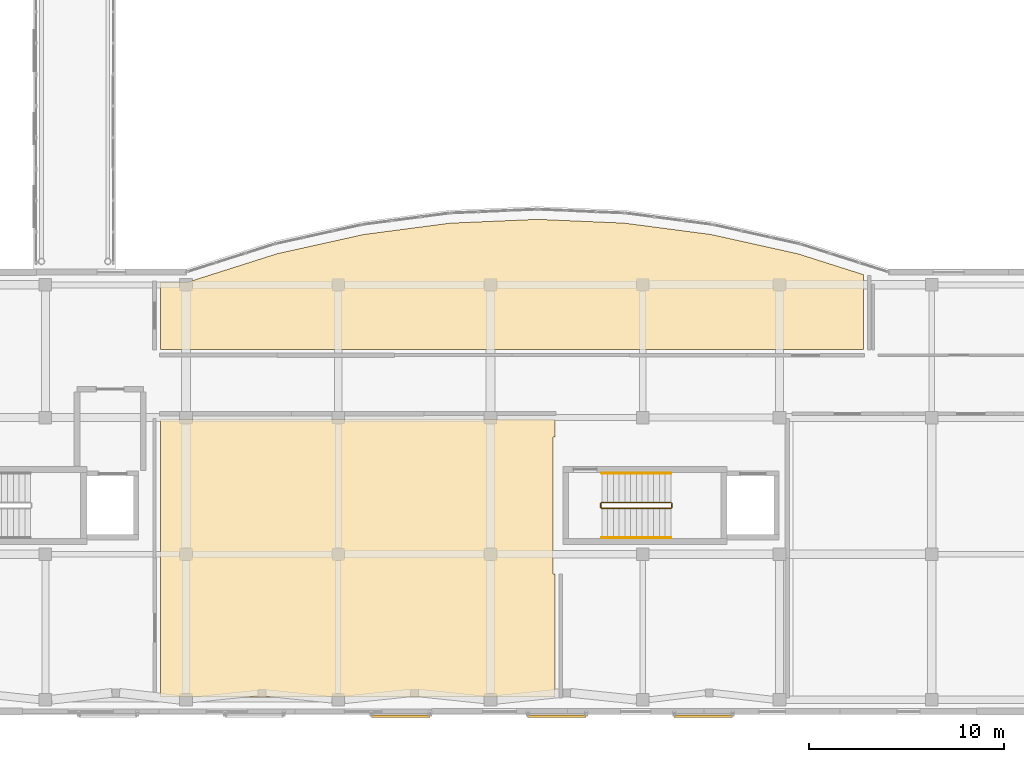
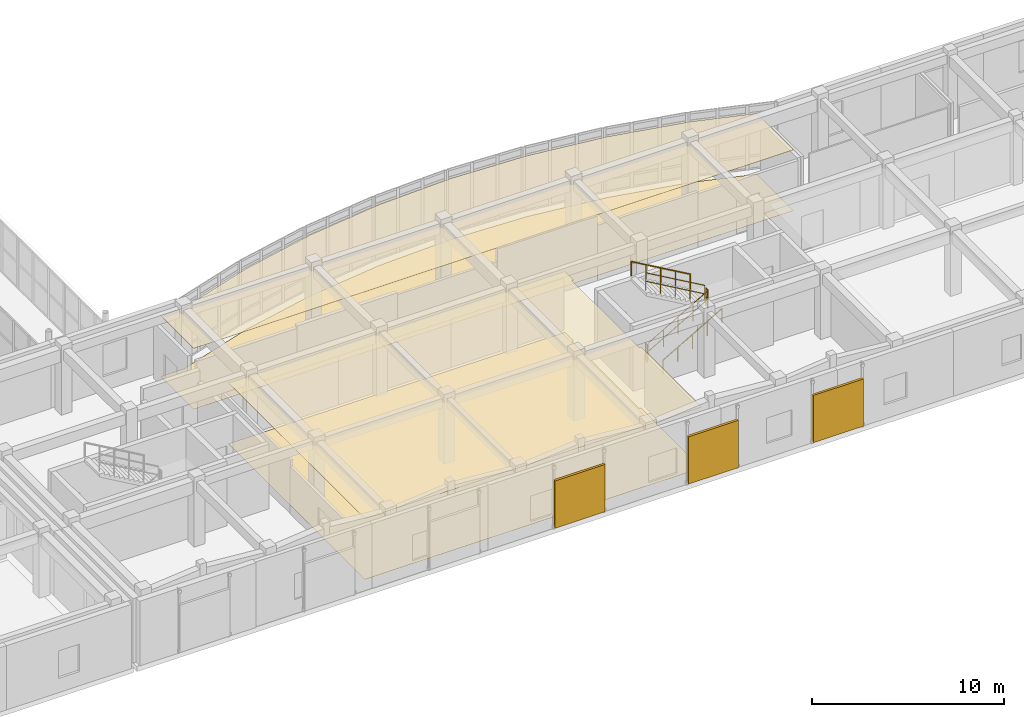
# One storey, part 136 of 142: 6 railings, 4 coverings, 3 shading devices.
"""IFC4 building model written with IfcOpenShell, lengths in metres."""

from ifc_helpers import new_model, si_unit, direction, frame, origin, origin_2d, place, context, subcontext, project, spatial, polyline, rectangle, circle, outline, extrude, material, layer, layer_set, type_object, element, save


model = new_model("IFC4")

# Units and contexts
model_context = context("Model", 3, precision=1e-05, world=origin(), true_north=direction((0.0, 1.0)))
body_context = subcontext(model_context, "Body", "Model", "MODEL_VIEW")
ifc_project = project(units=[si_unit("LENGTHUNIT", "METRE"), si_unit("AREAUNIT", "SQUARE_METRE"), si_unit("VOLUMEUNIT", "CUBIC_METRE"), si_unit("PLANEANGLEUNIT", "RADIAN"), si_unit("MASSUNIT", "GRAM", prefix="KILO")], contexts=[model_context])

# Site, building, storey
site_placement = place(None, origin())
site = spatial("IfcSite", under=ifc_project, at=site_placement, CompositionType="ELEMENT")
building_placement = place(site_placement, origin())
building = spatial("IfcBuilding", under=site, at=building_placement, Name="Valcora Specialist Clinic", CompositionType="ELEMENT")
storey_placement = place(building_placement, frame((0.0, 0.0, 5.10009765625)))
storey = spatial("IfcBuildingStorey", under=building, at=storey_placement, Name="L01", CompositionType="ELEMENT", Elevation=5.10009765625)

# Coverings
ifc_material_1 = material(Name="Acoustic Mineral Ceiling Tile")
ifc_layer_1 = layer(ifc_material_1, 0.02001953125)
ifc_layer_set_1 = layer_set([ifc_layer_1], Name="Acoustic Mineral Ceiling Tile")
covering_type_1 = type_object("IfcCoveringType", Name="TY-CV-CLG020", PredefinedType="CEILING", material=ifc_layer_set_1)
covering_1_placement = place(storey_placement, frame((0.0, 0.0, 3.849853515625)))
element("IfcCovering", 1, at=covering_1_placement, inside=storey, type_object=covering_type_1, Name="Acoustic ceiling tile 12", PredefinedType="CEILING", context=body_context, shape_type="SweptSolid", body=[
    extrude(outline(polyline([(67.699951171875, 15.10009765625), (87.89990234375, 15.10009765625), (87.89990234375, 14.199951171875), (87.800048828125, 14.199951171875), (87.800048828125, 7.199951171875), (87.89990234375, 7.199951171875), (87.89990234375, 0.89990234375), (67.699951171875, 0.89990234375), (67.699951171875, 15.10009765625)])), origin(), (0.0, 0.0, 1.0), 0.02001953125),
])
covering_2_placement = place(storey_placement, frame((0.0, 0.0, 3.849853515625)))
element("IfcCovering", 2, at=covering_2_placement, inside=storey, type_object=covering_type_1, Name="Acoustic ceiling tile 14", PredefinedType="CEILING", context=body_context, shape_type="SweptSolid", body=[
    extrude(outline(polyline([(67.699951171875, 22.139892578125), (69.0, 22.139892578125), (69.01611328125, 22.139892578125), (69.052978515625, 22.14208984375), (69.0859375, 22.14599609375), (69.1220703125, 22.152099609375), (69.14599609375, 22.156982421875), (69.181884765625, 22.166015625), (69.199951171875, 22.1708984375), (73.672119140625, 23.593994140625), (78.114013671875, 24.5791015625), (82.556884765625, 25.162109375), (87.0, 25.35498046875), (91.443115234375, 25.162109375), (95.885986328125, 24.5791015625), (100.327880859375, 23.593994140625), (103.699951171875, 22.52099609375), (103.699951171875, 18.699951171875), (67.699951171875, 18.699951171875), (67.699951171875, 22.139892578125)])), origin(), (0.0, 0.0, 1.0), 0.02001953125),
])
ifc_material_2 = material(Name="Antimicrobial Vinyl Clinical Flooring")
ifc_layer_2 = layer(ifc_material_2, 0.008056640625)
ifc_layer_set_2 = layer_set([ifc_layer_2], Name="Antimicrobial Vinyl Clinical Flooring")
covering_type_2 = type_object("IfcCoveringType", Name="TY-CV-FLR008", PredefinedType="FLOORING", material=ifc_layer_set_2)
covering_3_placement = place(storey_placement, origin())
element("IfcCovering", 3, at=covering_3_placement, inside=storey, type_object=covering_type_2, Name="Antimicrobial clinical flooring 12", PredefinedType="FLOORING", context=body_context, shape_type="SweptSolid", body=[
    extrude(outline(polyline([(67.699951171875, 15.10009765625), (87.89990234375, 15.10009765625), (87.89990234375, 14.199951171875), (87.800048828125, 14.199951171875), (87.800048828125, 7.199951171875), (87.89990234375, 7.199951171875), (87.89990234375, 0.89990234375), (67.699951171875, 0.89990234375), (67.699951171875, 15.10009765625)])), origin(), (0.0, 0.0, 1.0), 0.0078125),
])
covering_4_placement = place(storey_placement, origin())
element("IfcCovering", 4, at=covering_4_placement, inside=storey, type_object=covering_type_2, Name="Antimicrobial clinical flooring 14", PredefinedType="FLOORING", context=body_context, shape_type="SweptSolid", body=[
    extrude(outline(polyline([(67.699951171875, 22.139892578125), (69.0, 22.139892578125), (69.01611328125, 22.139892578125), (69.052978515625, 22.14208984375), (69.0859375, 22.14599609375), (69.1220703125, 22.152099609375), (69.14599609375, 22.156982421875), (69.181884765625, 22.166015625), (69.199951171875, 22.1708984375), (73.672119140625, 23.593994140625), (78.114013671875, 24.5791015625), (82.556884765625, 25.162109375), (87.0, 25.35498046875), (91.443115234375, 25.162109375), (95.885986328125, 24.5791015625), (100.327880859375, 23.593994140625), (103.699951171875, 22.52099609375), (103.699951171875, 18.699951171875), (67.699951171875, 18.699951171875), (67.699951171875, 22.139892578125)])), origin(), (0.0, 0.0, 1.0), 0.0078125),
])

# Railings
ifc_material_3 = material(Name="Stainless Steel AISI 316", Category="steel")
railing_type_1 = type_object("IfcRailingType", Name="TY-RL-GRD112", PredefinedType="GUARDRAIL", material=ifc_material_3)
railing_1_placement = place(storey_placement, frame((90.300048828125, 10.550048828125, 0.169921875)))
element("IfcRailing", 5, at=railing_1_placement, inside=storey, type_object=railing_type_1, Name="L01 ST-V6B stair guard 1", PredefinedType="GUARDRAIL", context=body_context, shape_type="SweptSolid", body=[
    extrude(circle(Radius=0.02392578125, at=origin_2d()), frame((0.0, 0.0, 1.09619140625), z_axis=(0.866428212428, 0.0, 0.499301665038), x_axis=(0.0, 1.0, 0.0)), (0.0, 0.0, 1.0), 4.085693359375),
    extrude(circle(Radius=0.02392578125, at=origin_2d()), frame((0.0, 0.0, 0.56005859375), z_axis=(0.866428212428, 0.0, 0.499301665038), x_axis=(0.0, 1.0, 0.0)), (0.0, 0.0, 1.0), 4.085693359375),
    extrude(circle(Radius=0.02099609375, at=origin_2d()), origin(), (0.0, 0.0, 1.0), 1.072021484375),
    extrude(circle(Radius=0.02099609375, at=origin_2d()), frame((0.885009765625, 0.0, 0.510009765625)), (0.0, 0.0, 1.0), 1.072021484375),
    extrude(circle(Radius=0.02099609375, at=origin_2d()), frame((1.77001953125, 0.0, 1.02001953125)), (0.0, 0.0, 1.0), 1.072021484375),
    extrude(circle(Radius=0.02099609375, at=origin_2d()), frame((2.655029296875, 0.0, 1.530029296875)), (0.0, 0.0, 1.0), 1.072021484375),
    extrude(circle(Radius=0.02099609375, at=origin_2d()), frame((3.5400390625, 0.0, 2.0400390625)), (0.0, 0.0, 1.0), 1.072021484375),
])
railing_2_placement = place(storey_placement, frame((93.889892578125, 10.60009765625, 2.2099609375)))
element("IfcRailing", 6, at=railing_2_placement, inside=storey, type_object=railing_type_1, Name="L01 ST-V6B stair guard 2", PredefinedType="GUARDRAIL", context=body_context, shape_type="SweptSolid", body=[
    extrude(circle(Radius=0.02392578125, at=origin_2d()), frame((0.0, 0.0, 1.09619140625), z_axis=(0.0, 1.0, 0.0), x_axis=(-1.0, 0.0, 0.0)), (0.0, 0.0, 1.0), 0.199951171875),
    extrude(circle(Radius=0.02392578125, at=origin_2d()), frame((0.0, 0.0, 0.56005859375), z_axis=(0.0, 1.0, 0.0), x_axis=(-1.0, 0.0, 0.0)), (0.0, 0.0, 1.0), 0.199951171875),
    extrude(circle(Radius=0.02099609375, at=origin_2d()), origin(), (0.0, 0.0, 1.0), 1.072021484375),
    extrude(circle(Radius=0.02099609375, at=origin_2d()), frame((0.0, 0.199951171875, 0.0)), (0.0, 0.0, 1.0), 1.072021484375),
])
railing_3_placement = place(storey_placement, frame((93.840087890625, 10.85009765625, 2.3798828125)))
element("IfcRailing", 7, at=railing_3_placement, inside=storey, type_object=railing_type_1, Name="L01 ST-V6B stair guard 3", PredefinedType="GUARDRAIL", context=body_context, shape_type="SweptSolid", body=[
    extrude(circle(Radius=0.02392578125, at=origin_2d()), frame((0.0, 0.0, 1.09619140625), z_axis=(-0.866428212428, 0.0, 0.499301665038), x_axis=(0.0, -1.0, 0.0)), (0.0, 0.0, 1.0), 4.085693359375),
    extrude(circle(Radius=0.02392578125, at=origin_2d()), frame((0.0, 0.0, 0.56005859375), z_axis=(-0.866428212428, 0.0, 0.499301665038), x_axis=(0.0, -1.0, 0.0)), (0.0, 0.0, 1.0), 4.085693359375),
    extrude(circle(Radius=0.02099609375, at=origin_2d()), origin(), (0.0, 0.0, 1.0), 1.072021484375),
    extrude(circle(Radius=0.02099609375, at=origin_2d()), frame((-0.885009765625, 0.0, 0.510009765625)), (0.0, 0.0, 1.0), 1.072021484375),
    extrude(circle(Radius=0.02099609375, at=origin_2d()), frame((-1.77001953125, 0.0, 1.02001953125)), (0.0, 0.0, 1.0), 1.072021484375),
    extrude(circle(Radius=0.02099609375, at=origin_2d()), frame((-2.655029296875, 0.0, 1.530029296875)), (0.0, 0.0, 1.0), 1.072021484375),
    extrude(circle(Radius=0.02099609375, at=origin_2d()), frame((-3.5400390625, 0.0, 2.0400390625)), (0.0, 0.0, 1.0), 1.072021484375),
])
railing_4_placement = place(storey_placement, frame((90.25, 10.60009765625, 0.0)))
element("IfcRailing", 8, at=railing_4_placement, inside=storey, type_object=railing_type_1, Name="L01 ST-V6B stair guard 4", PredefinedType="GUARDRAIL", context=body_context, shape_type="SweptSolid", body=[
    extrude(circle(Radius=0.02392578125, at=origin_2d()), frame((0.0, 0.0, 1.09619140625), z_axis=(0.0, 1.0, 0.0), x_axis=(-1.0, 0.0, 0.0)), (0.0, 0.0, 1.0), 0.199951171875),
    extrude(circle(Radius=0.02392578125, at=origin_2d()), frame((0.0, 0.0, 0.56005859375), z_axis=(0.0, 1.0, 0.0), x_axis=(-1.0, 0.0, 0.0)), (0.0, 0.0, 1.0), 0.199951171875),
    extrude(circle(Radius=0.02099609375, at=origin_2d()), origin(), (0.0, 0.0, 1.0), 1.072021484375),
    extrude(circle(Radius=0.02099609375, at=origin_2d()), frame((0.0, 0.199951171875, 0.0)), (0.0, 0.0, 1.0), 1.072021484375),
])
railing_type_2 = type_object("IfcRailingType", Name="TY-RL-HND092", PredefinedType="HANDRAIL", material=ifc_material_3)
railing_5_placement = place(storey_placement, frame((90.300048828125, 9.050048828125, 0.169921875)))
element("IfcRailing", 9, at=railing_5_placement, inside=storey, type_object=railing_type_2, Name="L01 ST-V6B stair handrail 1", PredefinedType="HANDRAIL", context=body_context, shape_type="SweptSolid", body=[
    extrude(circle(Radius=0.02392578125, at=origin_2d()), frame((0.0, 0.0, 0.89599609375), z_axis=(0.866428212428, 0.0, 0.499301665038), x_axis=(0.0, 1.0, 0.0)), (0.0, 0.0, 1.0), 4.085693359375),
    extrude(circle(Radius=0.02099609375, at=origin_2d()), origin(), (0.0, 0.0, 1.0), 0.871826171875),
    extrude(circle(Radius=0.02099609375, at=origin_2d()), frame((0.885009765625, 0.0, 0.510009765625)), (0.0, 0.0, 1.0), 0.871826171875),
    extrude(circle(Radius=0.02099609375, at=origin_2d()), frame((1.77001953125, 0.0, 1.02001953125)), (0.0, 0.0, 1.0), 0.871826171875),
    extrude(circle(Radius=0.02099609375, at=origin_2d()), frame((2.655029296875, 0.0, 1.530029296875)), (0.0, 0.0, 1.0), 0.871826171875),
    extrude(circle(Radius=0.02099609375, at=origin_2d()), frame((3.5400390625, 0.0, 2.0400390625)), (0.0, 0.0, 1.0), 0.871826171875),
])
railing_6_placement = place(storey_placement, frame((93.840087890625, 12.35009765625, 2.3798828125)))
element("IfcRailing", 10, at=railing_6_placement, inside=storey, type_object=railing_type_2, Name="L01 ST-V6B stair handrail 2", PredefinedType="HANDRAIL", context=body_context, shape_type="SweptSolid", body=[
    extrude(circle(Radius=0.02392578125, at=origin_2d()), frame((0.0, 0.0, 0.89599609375), z_axis=(-0.866428212428, 0.0, 0.499301665038), x_axis=(0.0, -1.0, 0.0)), (0.0, 0.0, 1.0), 4.085693359375),
    extrude(circle(Radius=0.02099609375, at=origin_2d()), origin(), (0.0, 0.0, 1.0), 0.871826171875),
    extrude(circle(Radius=0.02099609375, at=origin_2d()), frame((-0.885009765625, 0.0, 0.510009765625)), (0.0, 0.0, 1.0), 0.871826171875),
    extrude(circle(Radius=0.02099609375, at=origin_2d()), frame((-1.77001953125, 0.0, 1.02001953125)), (0.0, 0.0, 1.0), 0.871826171875),
    extrude(circle(Radius=0.02099609375, at=origin_2d()), frame((-2.655029296875, 0.0, 1.530029296875)), (0.0, 0.0, 1.0), 0.871826171875),
    extrude(circle(Radius=0.02099609375, at=origin_2d()), frame((-3.5400390625, 0.0, 2.0400390625)), (0.0, 0.0, 1.0), 0.871826171875),
])

# Shading devices
ifc_material_4 = material(Name="Perforated Jalisco Clay Brick Masonry", Category="masonry")
ifc_layer_3 = layer(ifc_material_4, 0.139892578125)
ifc_layer_set_3 = layer_set([ifc_layer_3], Name="Perforated Jalisco Clay Brick Masonry")
shading_device_type = type_object("IfcShadingDeviceType", Name="TY-SD-SCR300", PredefinedType="USERDEFINED", material=ifc_layer_set_3)
for number, where, z_axis, x_axis, name in (
    (11, (80.0, -0.10009765625, 0.119873046875), (0.0, 0.0, 1.0), (1.0, 0.0, 0.0), "Perforated Jalisco brick screen 8"),
    (12, (88.0, -0.10009765625, 0.119873046875), (0.0, 0.0, 1.0), (1.0, 0.0, 0.0), "Perforated Jalisco brick screen 9"),
    (13, (95.5, -0.10009765625, 0.119873046875), (0.0, 0.0, 1.0), (1.0, 0.0, 0.0), "Perforated Jalisco brick screen 10"),
):
    element("IfcShadingDevice", number, at=place(storey_placement, frame(where, z_axis=z_axis, x_axis=x_axis)), inside=storey, type_object=shading_device_type, Name=name, ObjectType="PERFORATED BRICK SCREEN", PredefinedType="USERDEFINED", context=body_context, shape_type="SweptSolid", body=[
        extrude(rectangle(XDim=3.0, YDim=0.139892578125, at=origin_2d()), origin(), (0.0, 0.0, 1.0), 3.0),
    ])

save(model, "model.ifc")
